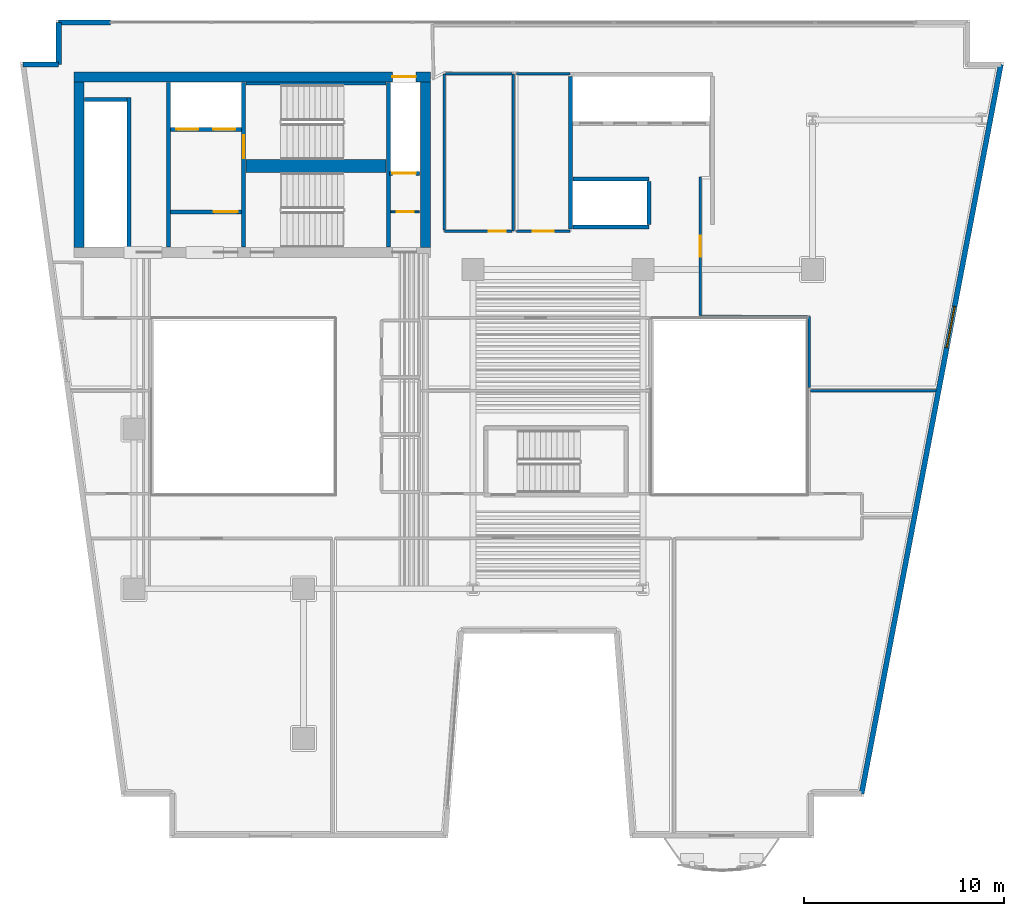
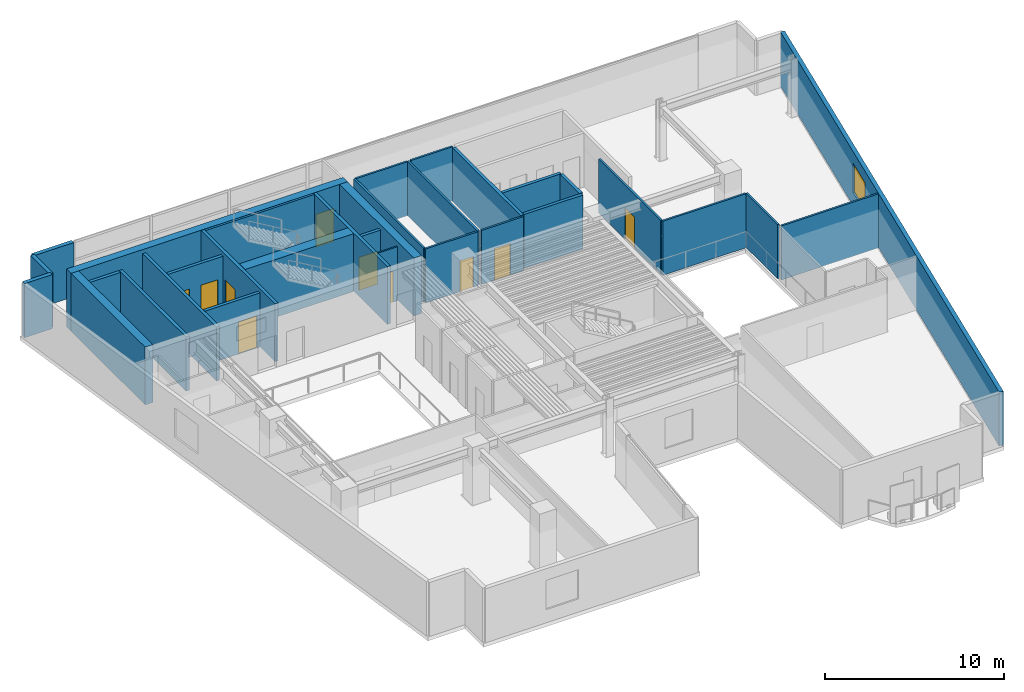
# One storey, part 7 of 13: 32 walls, 10 doors, 1 window, 11 openings.
"""IFC4 building model written with IfcOpenShell, lengths in metres."""

from ifc_helpers import new_model, si_unit, direction, frame, frame_2d, origin, place, context, subcontext, project, spatial, rectangle, extrude, material, layer, layer_set, type_object, element, fill, save


model = new_model("IFC4")

# Units and contexts
model_context = context("Model", 3, precision=1e-05, world=origin(), true_north=direction((0.0, 1.0)))
body_context = subcontext(model_context, "Body", "Model", "MODEL_VIEW")
ifc_project = project(units=[si_unit("LENGTHUNIT", "METRE"), si_unit("AREAUNIT", "SQUARE_METRE"), si_unit("VOLUMEUNIT", "CUBIC_METRE"), si_unit("PLANEANGLEUNIT", "RADIAN"), si_unit("MASSUNIT", "GRAM", prefix="KILO")], contexts=[model_context])

# Site, building, storey
site_placement = place(None, origin())
site = spatial("IfcSite", under=ifc_project, at=site_placement, CompositionType="ELEMENT")
building_placement = place(site_placement, origin())
building = spatial("IfcBuilding", under=site, at=building_placement, Name="Caeloran Harvest Quay", CompositionType="ELEMENT")
storey_placement = place(building_placement, frame((0.0, 0.0, 139.050048828125)))
storey = spatial("IfcBuildingStorey", under=building, at=storey_placement, Name="L32", CompositionType="ELEMENT", Elevation=139.050048828125)

# Walls
ifc_material_1 = material(Name="Precast concrete C50/60", Category="concrete")
ifc_layer_1 = layer(ifc_material_1, 0.260009765625, Name="Precast concrete C50/60")
ifc_layer_set_1 = layer_set([ifc_layer_1], Name="Precast concrete C50/60")
wall_type_1 = type_object("IfcWallType", Name="ENV-WALL-EW-260", PredefinedType="STANDARD", material=ifc_layer_set_1)
wall_1_placement = place(storey_placement, frame((2.939697265625, 41.27001953125, 0.0), z_axis=(0.0, 0.0, 1.0), x_axis=(1.0, 0.0, 0.0)))
element("IfcWall", 1, at=wall_1_placement, inside=storey, type_object=wall_type_1, Name="L32 Exterior Precast Concrete Facade Wall 4", PredefinedType="STANDARD", context=body_context, shape_type="SweptSolid", body=[
    extrude(rectangle(XDim=1.790283203125, YDim=0.260009765625, at=frame_2d((0.89501953125, 0.0))), origin(), (0.0, 0.0, 1.0), 3.68994140625),
])
wall_2_placement = place(storey_placement, frame((4.72998046875, 41.27001953125, 0.0), z_axis=(0.0, 0.0, 1.0), x_axis=(0.0, 1.0, 0.0)))
element("IfcWall", 2, at=wall_2_placement, inside=storey, type_object=wall_type_1, Name="L32 Exterior Precast Concrete Facade Wall 5", PredefinedType="STANDARD", context=body_context, shape_type="SweptSolid", body=[
    extrude(rectangle(XDim=2.10009765625, YDim=0.260009765625, at=frame_2d((1.050048828125, 0.0))), origin(), (0.0, 0.0, 1.0), 3.68994140625),
])
wall_3_placement = place(storey_placement, frame((4.72998046875, 43.3701171875, 0.0), z_axis=(0.0, 0.0, 1.0), x_axis=(1.0, 0.0, 0.0)))
element("IfcWall", 3, at=wall_3_placement, inside=storey, type_object=wall_type_1, Name="L32 Exterior Facade Corner Pier Wall 6A", PredefinedType="STANDARD", context=body_context, shape_type="SweptSolid", body=[
    extrude(rectangle(XDim=2.60009765625, YDim=0.260009765625, at=frame_2d((1.300048828125, 0.0))), origin(), (0.0, 0.0, 1.0), 3.68994140625),
])

# Wall, opening, window
wall_4_placement = place(storey_placement, frame((51.94189453125, 41.27001953125, 0.0), z_axis=(0.0, 0.0, 1.0), x_axis=(-0.187592192405, -0.982247000173, 0.0)))
wall_4 = element("IfcWall", 4, at=wall_4_placement, inside=storey, type_object=wall_type_1, Name="L32 Exterior Precast Concrete Facade Wall 9", PredefinedType="STANDARD", context=body_context, shape_type="SweptSolid", body=[
    extrude(rectangle(XDim=37.200439453125, YDim=0.260009765625, at=frame_2d((18.60009765625, 0.0))), origin(), (0.0, 0.0, 1.0), 3.68994140625),
])
opening_1_placement = place(wall_4_placement, frame((12.342041015625, 0.0, 0.89990234375)))
opening_1 = element("IfcOpeningElement", 5, at=opening_1_placement, cuts=wall_4, Name="Opening W-06", PredefinedType="OPENING", context=body_context, shape_type="SweptSolid", body=[
    extrude(rectangle(XDim=2.10009765625, YDim=2.0, at=frame_2d((1.050048828125, 1.0))), frame((0.0, 0.14013671875, 0.0), z_axis=(0.0, -1.0, 0.0), x_axis=(1.0, 0.0, 0.0)), (0.0, 0.0, 1.0), 0.280029296875),
])
ifc_material_2 = material(Name="Aluminium-Framed Low-E Laminated Glass", Category="aluminium")
window_type = type_object("IfcWindowType", Name="WIN-W-06", PartitioningType="DOUBLE_PANEL_VERTICAL", PredefinedType="WINDOW", material=ifc_material_2)
window_placement = place(opening_1_placement, origin())
window = element("IfcWindow", 6, at=window_placement, inside=storey, type_object=window_type, Name="L32 Facade Punched Window W-06", OverallHeight=2.0, OverallWidth=2.10009765625, PartitioningType="DOUBLE_PANEL_VERTICAL", PredefinedType="WINDOW", context=body_context, shape_type="SweptSolid", body=[
    extrude(rectangle(XDim=2.10009765625, YDim=2.0, at=frame_2d((1.050048828125, 1.0))), frame((0.0, 0.030029296875, 0.0), z_axis=(0.0, -1.0, 0.0), x_axis=(1.0, 0.0, 0.0)), (0.0, 0.0, 1.0), 0.06005859375),
])
fill(opening_1, window)

# Wall, opening, door
ifc_material_3 = material(Name="Fire-Resisting Gypsum Core Riser Partition", Category="gypsum")
ifc_layer_2 = layer(ifc_material_3, 0.10009765625, Name="Fire-Resisting Gypsum Core Riser Partition")
ifc_layer_set_2 = layer_set([ifc_layer_2], Name="Fire-Resisting Gypsum Core Riser Partition")
wall_type_2 = type_object("IfcWallType", Name="INT-WALL-PW-100", PredefinedType="PARTITIONING", material=ifc_layer_set_2)
wall_5_placement = place(storey_placement, frame((21.3798828125, 33.889892578125, 0.0), z_axis=(0.0, 0.0, 1.0), x_axis=(1.0, 0.0, 0.0)))
wall_5 = element("IfcWall", 7, at=wall_5_placement, inside=storey, type_object=wall_type_2, Name="L32 Cleaner Store Partition Wall", PredefinedType="PARTITIONING", context=body_context, shape_type="SweptSolid", body=[
    extrude(rectangle(XDim=1.420166015625, YDim=0.10009765625, at=frame_2d((0.7099609375, 0.0))), origin(), (0.0, 0.0, 1.0), 3.68994140625),
])
opening_2_placement = place(wall_5_placement, frame((0.280029296875, 0.0, 0.0)))
opening_2 = element("IfcOpeningElement", 8, at=opening_2_placement, cuts=wall_5, Name="Opening SV-01", PredefinedType="OPENING", context=body_context, shape_type="SweptSolid", body=[
    extrude(rectangle(XDim=0.85009765625, YDim=2.10009765625, at=frame_2d((0.425048828125, 1.050048828125))), frame((0.0, 0.06005859375, 0.0), z_axis=(0.0, -1.0, 0.0), x_axis=(1.0, 0.0, 0.0)), (0.0, 0.0, 1.0), 0.1201171875),
])
ifc_material_4 = material(Name="Galvanized Painted Steel", Category="steel")
door_type_1 = type_object("IfcDoorType", Name="INTDOOR-SV-01", OperationType="NOTDEFINED", PredefinedType="DOOR", material=ifc_material_4)
door_1_placement = place(opening_2_placement, origin())
door_1 = element("IfcDoor", 9, at=door_1_placement, inside=storey, type_object=door_type_1, Name="L32 Cleaner Supply Store Access Door", OperationType="SINGLE_SWING_RIGHT", OverallHeight=2.10009765625, OverallWidth=0.85009765625, PredefinedType="DOOR", context=body_context, shape_type="SweptSolid", body=[
    extrude(rectangle(XDim=0.85009765625, YDim=2.10009765625, at=frame_2d((0.425048828125, 1.050048828125))), frame((0.0, 0.02490234375, 0.0), z_axis=(0.0, -1.0, 0.0), x_axis=(1.0, 0.0, 0.0)), (0.0, 0.0, 1.0), 0.050048828125),
])
fill(opening_2, door_1)

# Wall
ifc_material_5 = material(Name="Twin-Stud Mineral-Wool Acoustic Gypsum Partition", Category="gypsum")
ifc_layer_3 = layer(ifc_material_5, 0.125, Name="Twin-Stud Mineral-Wool Acoustic Gypsum Partition")
ifc_layer_set_3 = layer_set([ifc_layer_3], Name="Twin-Stud Mineral-Wool Acoustic Gypsum Partition")
wall_type_3 = type_object("IfcWallType", Name="INT-WALL-PW-125", PredefinedType="PARTITIONING", material=ifc_layer_set_3)
wall_6_placement = place(storey_placement, frame((27.5, 40.800048828125, 0.0), z_axis=(0.0, 0.0, 1.0), x_axis=(0.0, -1.0, 0.0)))
element("IfcWall", 10, at=wall_6_placement, inside=storey, type_object=wall_type_3, Name="L32 Bioinformatics Briefing Lounge Partition Wall", PredefinedType="PARTITIONING", context=body_context, shape_type="SweptSolid", body=[
    extrude(rectangle(XDim=7.880126953125, YDim=0.125, at=frame_2d((3.93994140625, 0.0))), origin(), (0.0, 0.0, 1.0), 3.68994140625),
])

# Wall, opening, door
wall_7_placement = place(storey_placement, frame((27.4326171875, 32.919921875, 0.0), z_axis=(0.0, 0.0, 1.0), x_axis=(-1.0, 0.0, 0.0)))
wall_7 = element("IfcWall", 11, at=wall_7_placement, inside=storey, type_object=wall_type_3, Name="L32 Bioinformatics Briefing Lounge Partition Wall", PredefinedType="PARTITIONING", context=body_context, shape_type="SweptSolid", body=[
    extrude(rectangle(XDim=3.382568359375, YDim=0.125, at=frame_2d((1.69140625, 0.0))), origin(), (0.0, 0.0, 1.0), 3.68994140625),
])
opening_3_placement = place(wall_7_placement, frame((0.303466796875, 0.0, 0.0)))
opening_3 = element("IfcOpeningElement", 12, at=opening_3_placement, cuts=wall_7, Name="Opening SV-01", PredefinedType="OPENING", context=body_context, shape_type="SweptSolid", body=[
    extrude(rectangle(XDim=0.85009765625, YDim=2.10009765625, at=frame_2d((0.425048828125, 1.050048828125))), frame((0.0, 0.072509765625, 0.0), z_axis=(0.0, -1.0, 0.0), x_axis=(1.0, 0.0, 0.0)), (0.0, 0.0, 1.0), 0.14501953125),
])
door_2_placement = place(opening_3_placement, origin())
door_2 = element("IfcDoor", 13, at=door_2_placement, inside=storey, type_object=door_type_1, Name="L32 Bioinformatics Briefing Lounge Access Door", OperationType="SINGLE_SWING_LEFT", OverallHeight=2.10009765625, OverallWidth=0.85009765625, PredefinedType="DOOR", context=body_context, shape_type="SweptSolid", body=[
    extrude(rectangle(XDim=0.85009765625, YDim=2.10009765625, at=frame_2d((0.425048828125, 1.050048828125))), frame((0.0, 0.02490234375, 0.0), z_axis=(0.0, -1.0, 0.0), x_axis=(1.0, 0.0, 0.0)), (0.0, 0.0, 1.0), 0.050048828125),
])
fill(opening_3, door_2)

# Walls
wall_8_placement = place(storey_placement, frame((24.050048828125, 32.987548828125, 0.0), z_axis=(0.0, 0.0, 1.0), x_axis=(0.0, 1.0, 0.0)))
element("IfcWall", 14, at=wall_8_placement, inside=storey, type_object=wall_type_3, Name="L32 Bioinformatics Briefing Lounge Partition Wall", PredefinedType="PARTITIONING", context=body_context, shape_type="SweptSolid", body=[
    extrude(rectangle(XDim=7.8125, YDim=0.125, at=frame_2d((3.90625, 0.0))), origin(), (0.0, 0.0, 1.0), 3.68994140625),
])
wall_9_placement = place(storey_placement, frame((24.117431640625, 40.800048828125, 0.0), z_axis=(0.0, 0.0, 1.0), x_axis=(1.0, 0.0, 0.0)))
element("IfcWall", 15, at=wall_9_placement, inside=storey, type_object=wall_type_3, Name="L32 Bioinformatics Briefing Lounge Partition Wall", PredefinedType="PARTITIONING", context=body_context, shape_type="SweptSolid", body=[
    extrude(rectangle(XDim=3.315185546875, YDim=0.125, at=frame_2d((1.65771484375, 0.0))), origin(), (0.0, 0.0, 1.0), 3.68994140625),
])

# Wall, opening, door
wall_10_placement = place(storey_placement, frame((30.35009765625, 32.919921875, 0.0), z_axis=(0.0, 0.0, 1.0), x_axis=(-1.0, 0.0, 0.0)))
wall_10 = element("IfcWall", 16, at=wall_10_placement, inside=storey, type_object=wall_type_3, Name="L32 Seed Imaging Laboratory Partition Wall", PredefinedType="PARTITIONING", context=body_context, shape_type="SweptSolid", body=[
    extrude(rectangle(XDim=2.690185546875, YDim=0.125, at=frame_2d((1.34521484375, 0.0))), origin(), (0.0, 0.0, 1.0), 3.68994140625),
])
opening_4_placement = place(wall_10_placement, frame((0.820068359375, 0.0, 0.0)))
opening_4 = element("IfcOpeningElement", 17, at=opening_4_placement, cuts=wall_10, Name="Opening ID-03", PredefinedType="OPENING", context=body_context, shape_type="SweptSolid", body=[
    extrude(rectangle(XDim=1.050048828125, YDim=2.14990234375, at=frame_2d((0.52490234375, 1.074951171875))), frame((0.0, 0.072509765625, 0.0), z_axis=(0.0, -1.0, 0.0), x_axis=(1.0, 0.0, 0.0)), (0.0, 0.0, 1.0), 0.14501953125),
])
ifc_material_6 = material(Name="FSC Solid-Core Oak Timber Leaf", Category="wood")
door_type_2 = type_object("IfcDoorType", Name="INTDOOR-ID-03", OperationType="NOTDEFINED", PredefinedType="DOOR", material=ifc_material_6)
door_3_placement = place(opening_4_placement, origin())
door_3 = element("IfcDoor", 18, at=door_3_placement, inside=storey, type_object=door_type_2, Name="L32 Seed Imaging Laboratory Access Door", OperationType="SINGLE_SWING_RIGHT", OverallHeight=2.14990234375, OverallWidth=1.050048828125, PredefinedType="DOOR", context=body_context, shape_type="SweptSolid", body=[
    extrude(rectangle(XDim=1.050048828125, YDim=2.14990234375, at=frame_2d((0.52490234375, 1.074951171875))), frame((0.0, 0.02490234375, 0.0), z_axis=(0.0, -1.0, 0.0), x_axis=(1.0, 0.0, 0.0)), (0.0, 0.0, 1.0), 0.050048828125),
])
fill(opening_4, door_3)

# Walls
wall_11_placement = place(storey_placement, frame((27.659912109375, 40.800048828125, 0.0), z_axis=(0.0, 0.0, 1.0), x_axis=(1.0, 0.0, 0.0)))
element("IfcWall", 19, at=wall_11_placement, inside=storey, type_object=wall_type_3, Name="L32 Seed Imaging Laboratory Partition Wall", PredefinedType="PARTITIONING", context=body_context, shape_type="SweptSolid", body=[
    extrude(rectangle(XDim=2.690185546875, YDim=0.125, at=frame_2d((1.34521484375, 0.0))), origin(), (0.0, 0.0, 1.0), 3.68994140625),
])
wall_12_placement = place(storey_placement, frame((42.3974609375, 24.919921875, 0.0), z_axis=(0.0, 0.0, 1.0), x_axis=(1.0, 0.0, 0.0)))
element("IfcWall", 20, at=wall_12_placement, inside=storey, type_object=wall_type_3, Name="Bioreactor Pilot Hall Partition Wall", PredefinedType="PARTITIONING", context=body_context, shape_type="SweptSolid", body=[
    extrude(rectangle(XDim=6.284423828125, YDim=0.125, at=frame_2d((3.14208984375, 0.0))), origin(), (0.0, 0.0, 1.0), 3.68994140625),
])
wall_13_placement = place(storey_placement, frame((42.330078125, 25.080078125, 0.0), z_axis=(0.0, 0.0, 1.0), x_axis=(0.0, 1.0, 0.0)))
element("IfcWall", 21, at=wall_13_placement, inside=storey, type_object=wall_type_3, Name="Food Texture Sensory Laboratory 9 Partition Wall", PredefinedType="PARTITIONING", context=body_context, shape_type="SweptSolid", body=[
    extrude(rectangle(XDim=3.5498046875, YDim=0.125, at=frame_2d((1.77490234375, 0.0))), origin(), (0.0, 0.0, 1.0), 3.68994140625),
])
wall_14_placement = place(storey_placement, frame((42.262451171875, 28.6298828125, 0.0), z_axis=(0.0, 0.0, 1.0), x_axis=(-1.0, 0.0, 0.0)))
element("IfcWall", 22, at=wall_14_placement, inside=storey, type_object=wall_type_3, Name="Food Texture Sensory Laboratory 9 Partition Wall", PredefinedType="PARTITIONING", context=body_context, shape_type="SweptSolid", body=[
    extrude(rectangle(XDim=5.382568359375, YDim=0.125, at=frame_2d((2.69140625, 0.0))), origin(), (0.0, 0.0, 1.0), 3.68994140625),
])

# Wall, opening, door
wall_15_placement = place(storey_placement, frame((36.8798828125, 28.697509765625, 0.0), z_axis=(0.0, 0.0, 1.0), x_axis=(0.0, 1.0, 0.0)))
wall_15 = element("IfcWall", 23, at=wall_15_placement, inside=storey, type_object=wall_type_3, Name="Food Texture Sensory Laboratory 9 Partition Wall", PredefinedType="PARTITIONING", context=body_context, shape_type="SweptSolid", body=[
    extrude(rectangle(XDim=6.922607421875, YDim=0.125, at=frame_2d((3.46142578125, 0.0))), origin(), (0.0, 0.0, 1.0), 3.68994140625),
])
opening_5_placement = place(wall_15_placement, frame((2.936279296875, 0.0, 0.0)))
opening_5 = element("IfcOpeningElement", 24, at=opening_5_placement, cuts=wall_15, Name="Opening ID-03", PredefinedType="OPENING", context=body_context, shape_type="SweptSolid", body=[
    extrude(rectangle(XDim=1.050048828125, YDim=2.14990234375, at=frame_2d((0.52490234375, 1.074951171875))), frame((0.0, 0.072509765625, 0.0), z_axis=(0.0, -1.0, 0.0), x_axis=(1.0, 0.0, 0.0)), (0.0, 0.0, 1.0), 0.14501953125),
])
door_4_placement = place(opening_5_placement, origin())
door_4 = element("IfcDoor", 25, at=door_4_placement, inside=storey, type_object=door_type_2, Name="Food Texture Sensory Laboratory 9 Access Door", OperationType="SINGLE_SWING_RIGHT", OverallHeight=2.14990234375, OverallWidth=1.050048828125, PredefinedType="DOOR", context=body_context, shape_type="SweptSolid", body=[
    extrude(rectangle(XDim=1.050048828125, YDim=2.14990234375, at=frame_2d((0.52490234375, 1.074951171875))), frame((0.0, 0.02490234375, 0.0), z_axis=(0.0, -1.0, 0.0), x_axis=(1.0, 0.0, 0.0)), (0.0, 0.0, 1.0), 0.050048828125),
])
fill(opening_5, door_4)

# Walls
ifc_material_7 = material(Name="Concrete C50/60", Category="concrete")
ifc_layer_4 = layer(ifc_material_7, 0.199951171875, Name="Concrete C50/60")
ifc_layer_set_4 = layer_set([ifc_layer_4], Name="Concrete C50/60")
wall_type_4 = type_object("IfcWallType", Name="INT-WALL-SW-200", PredefinedType="PARTITIONING", material=ifc_layer_set_4)
wall_16_placement = place(storey_placement, frame((8.260009765625, 32.1201171875, 0.0), z_axis=(0.0, 0.0, 1.0), x_axis=(0.0, 1.0, 0.0)))
element("IfcWall", 26, at=wall_16_placement, inside=storey, type_object=wall_type_4, Name="L32 Bank 3 Lift Shaft Wall", PredefinedType="PARTITIONING", context=body_context, shape_type="SweptSolid", body=[
    extrude(rectangle(XDim=7.5, YDim=0.199951171875, at=frame_2d((3.75, 0.0))), origin(), (0.0, 0.0, 1.0), 3.68994140625),
])
wall_17_placement = place(storey_placement, frame((6.02001953125, 39.52001953125, 0.0), z_axis=(0.0, 0.0, 1.0), x_axis=(1.0, 0.0, 0.0)))
element("IfcWall", 27, at=wall_17_placement, inside=storey, type_object=wall_type_4, Name="L32 Bank 3 Lift Shaft North End Wall", PredefinedType="PARTITIONING", context=body_context, shape_type="SweptSolid", body=[
    extrude(rectangle(XDim=2.119873046875, YDim=0.199951171875, at=frame_2d((1.06005859375, 0.0))), origin(), (0.0, 0.0, 1.0), 3.68994140625),
])
wall_18_placement = place(storey_placement, frame((10.219970703125, 32.1201171875, 0.0), z_axis=(0.0, 0.0, 1.0), x_axis=(0.0, 1.0, 0.0)))
element("IfcWall", 28, at=wall_18_placement, inside=storey, type_object=wall_type_4, Name="L32 Core Lobby Compartment Wall", PredefinedType="PARTITIONING", context=body_context, shape_type="SweptSolid", body=[
    extrude(rectangle(XDim=8.259765625, YDim=0.199951171875, at=frame_2d((4.1298828125, 0.0))), origin(), (0.0, 0.0, 1.0), 3.68994140625),
])

# Wall, openings, doors
wall_19_placement = place(storey_placement, frame((10.340087890625, 38.02001953125, 0.0), z_axis=(0.0, 0.0, 1.0), x_axis=(1.0, 0.0, 0.0)))
wall_19 = element("IfcWall", 29, at=wall_19_placement, inside=storey, type_object=wall_type_4, Name="L32 Firefighting Lift Shaft Wall", PredefinedType="PARTITIONING", context=body_context, shape_type="SweptSolid", body=[
    extrude(rectangle(XDim=3.539794921875, YDim=0.199951171875, at=frame_2d((1.77001953125, 0.0))), origin(), (0.0, 0.0, 1.0), 3.68994140625),
])
opening_6_placement = place(wall_19_placement, frame((0.284912109375, 0.0, 0.0)))
opening_6 = element("IfcOpeningElement", 30, at=opening_6_placement, cuts=wall_19, Name="Opening LD-01", PredefinedType="OPENING", context=body_context, shape_type="SweptSolid", body=[
    extrude(rectangle(XDim=1.10009765625, YDim=2.199951171875, at=frame_2d((0.550048828125, 1.10009765625))), frame((0.0, 0.10986328125, 0.0), z_axis=(0.0, -1.0, 0.0), x_axis=(1.0, 0.0, 0.0)), (0.0, 0.0, 1.0), 0.219970703125),
])
opening_7_placement = place(wall_19_placement, frame((2.135009765625, 0.0, 0.0)))
opening_7 = element("IfcOpeningElement", 31, at=opening_7_placement, cuts=wall_19, Name="Opening LD-01", PredefinedType="OPENING", context=body_context, shape_type="SweptSolid", body=[
    extrude(rectangle(XDim=1.10009765625, YDim=2.199951171875, at=frame_2d((0.550048828125, 1.10009765625))), frame((0.0, 0.10986328125, 0.0), z_axis=(0.0, -1.0, 0.0), x_axis=(1.0, 0.0, 0.0)), (0.0, 0.0, 1.0), 0.219970703125),
])
ifc_material_8 = material(Name="Stainless Steel Grade 316", Category="steel")
door_type_3 = type_object("IfcDoorType", Name="INTDOOR-LD-01", OperationType="NOTDEFINED", PredefinedType="DOOR", material=ifc_material_8)
door_5_placement = place(opening_6_placement, origin())
door_5 = element("IfcDoor", 32, at=door_5_placement, inside=storey, type_object=door_type_3, Name="Lift FF-1 Sliding Landing Door (L32)", OperationType="DOUBLE_DOOR_SLIDING", OverallHeight=2.199951171875, OverallWidth=1.10009765625, PredefinedType="DOOR", context=body_context, shape_type="SweptSolid", body=[
    extrude(rectangle(XDim=1.10009765625, YDim=2.199951171875, at=frame_2d((0.550048828125, 1.10009765625))), frame((0.0, 0.02490234375, 0.0), z_axis=(0.0, -1.0, 0.0), x_axis=(1.0, 0.0, 0.0)), (0.0, 0.0, 1.0), 0.050048828125),
])
fill(opening_6, door_5)
door_6_placement = place(opening_7_placement, origin())
door_6 = element("IfcDoor", 33, at=door_6_placement, inside=storey, type_object=door_type_3, Name="Lift FF-2 Sliding Landing Door (L32)", OperationType="DOUBLE_DOOR_SLIDING", OverallHeight=2.199951171875, OverallWidth=1.10009765625, PredefinedType="DOOR", context=body_context, shape_type="SweptSolid", body=[
    extrude(rectangle(XDim=1.10009765625, YDim=2.199951171875, at=frame_2d((0.550048828125, 1.10009765625))), frame((0.0, 0.02490234375, 0.0), z_axis=(0.0, -1.0, 0.0), x_axis=(1.0, 0.0, 0.0)), (0.0, 0.0, 1.0), 0.050048828125),
])
fill(opening_7, door_6)

# Wall, opening, door
wall_20_placement = place(storey_placement, frame((10.340087890625, 33.8798828125, 0.0), z_axis=(0.0, 0.0, 1.0), x_axis=(1.0, 0.0, 0.0)))
wall_20 = element("IfcWall", 34, at=wall_20_placement, inside=storey, type_object=wall_type_4, Name="L32 Firefighting Lift Lobby Enclosure Wall", PredefinedType="PARTITIONING", context=body_context, shape_type="SweptSolid", body=[
    extrude(rectangle(XDim=3.559814453125, YDim=0.199951171875, at=frame_2d((1.77978515625, 0.0))), origin(), (0.0, 0.0, 1.0), 3.68994140625),
])
opening_8_placement = place(wall_20_placement, frame((2.14990234375, 0.0, 0.0)))
opening_8 = element("IfcOpeningElement", 35, at=opening_8_placement, cuts=wall_20, Name="Opening FD-01", PredefinedType="OPENING", context=body_context, shape_type="SweptSolid", body=[
    extrude(rectangle(XDim=1.199951171875, YDim=2.199951171875, at=frame_2d((0.60009765625, 1.10009765625))), frame((0.0, 0.10986328125, 0.0), z_axis=(0.0, -1.0, 0.0), x_axis=(1.0, 0.0, 0.0)), (0.0, 0.0, 1.0), 0.219970703125),
])
ifc_material_9 = material(Name="Steel", Category="steel")
door_type_4 = type_object("IfcDoorType", Name="INTDOOR-FD-01", OperationType="NOTDEFINED", PredefinedType="DOOR", material=ifc_material_9)
door_7_placement = place(opening_8_placement, origin())
door_7 = element("IfcDoor", 36, at=door_7_placement, inside=storey, type_object=door_type_4, Name="L32 Firefighting Lift Lobby Smoke-Seal Fire Door", OperationType="SINGLE_SWING_RIGHT", OverallHeight=2.199951171875, OverallWidth=1.199951171875, PredefinedType="DOOR", context=body_context, shape_type="SweptSolid", body=[
    extrude(rectangle(XDim=1.199951171875, YDim=2.199951171875, at=frame_2d((0.60009765625, 1.10009765625))), frame((0.0, 0.02490234375, 0.0), z_axis=(0.0, -1.0, 0.0), x_axis=(1.0, 0.0, 0.0)), (0.0, 0.0, 1.0), 0.050048828125),
])
fill(opening_8, door_7)

wall_21_placement = place(storey_placement, frame((21.300048828125, 35.820068359375, 0.0), z_axis=(0.0, 0.0, 1.0), x_axis=(1.0, 0.0, 0.0)))
wall_21 = element("IfcWall", 37, at=wall_21_placement, inside=storey, type_object=wall_type_4, Name="L32 Service Lift SV-2 Shaft Wall", PredefinedType="PARTITIONING", context=body_context, shape_type="SweptSolid", body=[
    extrude(rectangle(XDim=1.5, YDim=0.199951171875, at=frame_2d((0.75, 0.0))), origin(), (0.0, 0.0, 1.0), 3.68994140625),
])
opening_9_placement = place(wall_21_placement, frame((0.14501953125, 0.0, 0.0)))
opening_9 = element("IfcOpeningElement", 38, at=opening_9_placement, cuts=wall_21, Name="Opening LD-02", PredefinedType="OPENING", context=body_context, shape_type="SweptSolid", body=[
    extrude(rectangle(XDim=1.179931640625, YDim=2.25, at=frame_2d((0.58984375, 1.125))), frame((0.0, 0.10986328125, 0.0), z_axis=(0.0, -1.0, 0.0), x_axis=(1.0, 0.0, 0.0)), (0.0, 0.0, 1.0), 0.219970703125),
])
door_type_5 = type_object("IfcDoorType", Name="INTDOOR-LD-02", OperationType="NOTDEFINED", PredefinedType="DOOR", material=ifc_material_8)
door_8_placement = place(opening_9_placement, origin())
door_8 = element("IfcDoor", 39, at=door_8_placement, inside=storey, type_object=door_type_5, Name="Lift SV-2 Sliding Landing Door (L32)", OperationType="DOUBLE_DOOR_SLIDING", OverallHeight=2.25, OverallWidth=1.179931640625, PredefinedType="DOOR", context=body_context, shape_type="SweptSolid", body=[
    extrude(rectangle(XDim=1.179931640625, YDim=2.25, at=frame_2d((0.58984375, 1.125))), frame((0.0, 0.02490234375, 0.0), z_axis=(0.0, -1.0, 0.0), x_axis=(1.0, 0.0, 0.0)), (0.0, 0.0, 1.0), 0.050048828125),
])
fill(opening_9, door_8)

# Walls
wall_22_placement = place(storey_placement, frame((30.3798828125, 33.02001953125, 0.0), z_axis=(0.0, 0.0, 1.0), x_axis=(0.0, 1.0, 0.0)))
element("IfcWall", 40, at=wall_22_placement, inside=storey, type_object=wall_type_4, Name="L32 Bank 2 and Shuttle Lift Shaft West Wall", PredefinedType="PARTITIONING", context=body_context, shape_type="SweptSolid", body=[
    extrude(rectangle(XDim=7.639892578125, YDim=0.199951171875, at=frame_2d((3.81982421875, 0.0))), origin(), (0.0, 0.0, 1.0), 3.68994140625),
])
for number, where, z_axis, x_axis, name in (
    (41, (30.5, 35.530029296875, 0.0), (0.0, 0.0, 1.0), (1.0, 0.0, 0.0), "L32 Shuttle Lift Landing Front Wall"),
    (42, (30.5, 33.1201171875, 0.0), (0.0, 0.0, 1.0), (1.0, 0.0, 0.0), "L32 Shuttle Lift Shaft South Wall"),
):
    element("IfcWall", number, at=place(storey_placement, frame(where, z_axis=z_axis, x_axis=x_axis)), inside=storey, type_object=wall_type_4, Name=name, PredefinedType="PARTITIONING", context=body_context, shape_type="SweptSolid", body=[
        extrude(rectangle(XDim=3.800048828125, YDim=0.199951171875, at=frame_2d((1.89990234375, 0.0))), origin(), (0.0, 0.0, 1.0), 3.68994140625),
    ])
wall_23_placement = place(storey_placement, frame((34.300048828125, 33.239990234375, 0.0), z_axis=(0.0, 0.0, 1.0), x_axis=(0.0, 1.0, 0.0)))
element("IfcWall", 43, at=wall_23_placement, inside=storey, type_object=wall_type_4, Name="L32 Shuttle Lift Shaft East Wall", PredefinedType="PARTITIONING", context=body_context, shape_type="SweptSolid", body=[
    extrude(rectangle(XDim=2.169921875, YDim=0.199951171875, at=frame_2d((1.0849609375, 0.0))), origin(), (0.0, 0.0, 1.0), 3.68994140625),
])

# Wall, opening, door
ifc_material_10 = material(Name="Concrete C70/85", Category="concrete")
ifc_layer_5 = layer(ifc_material_10, 0.5, Name="Concrete C70/85")
ifc_layer_set_5 = layer_set([ifc_layer_5], Name="Concrete C70/85")
wall_type_5 = type_object("IfcWallType", Name="STR-WALL-CW-500", PredefinedType="SHEAR", material=ifc_layer_set_5)
wall_24_placement = place(storey_placement, frame((5.5, 40.64990234375, 0.0), z_axis=(0.0, 0.0, 1.0), x_axis=(1.0, 0.0, 0.0)))
wall_24 = element("IfcWall", 44, at=wall_24_placement, inside=storey, type_object=wall_type_5, Name="L32 Rear Core Shear Wall N", PredefinedType="SHEAR", context=body_context, shape_type="SweptSolid", body=[
    extrude(rectangle(XDim=17.85009765625, YDim=0.5, at=frame_2d((8.925048828125, 0.0))), origin(), (0.0, 0.0, 1.0), 3.949951171875),
])
opening_10_placement = place(wall_24_placement, frame((15.945068359375, 0.0, 0.0)))
opening_10 = element("IfcOpeningElement", 45, at=opening_10_placement, cuts=wall_24, Name="Opening LD-02", PredefinedType="OPENING", context=body_context, shape_type="SweptSolid", body=[
    extrude(rectangle(XDim=1.179931640625, YDim=2.25, at=frame_2d((0.58984375, 1.125))), frame((0.0, 0.260009765625, 0.0), z_axis=(0.0, -1.0, 0.0), x_axis=(1.0, 0.0, 0.0)), (0.0, 0.0, 1.0), 0.52001953125),
])
door_9_placement = place(opening_10_placement, origin())
door_9 = element("IfcDoor", 46, at=door_9_placement, inside=storey, type_object=door_type_5, Name="Lift SV-1 Sliding Landing Door (L32)", OperationType="DOUBLE_DOOR_SLIDING", OverallHeight=2.25, OverallWidth=1.179931640625, PredefinedType="DOOR", context=body_context, shape_type="SweptSolid", body=[
    extrude(rectangle(XDim=1.179931640625, YDim=2.25, at=frame_2d((0.58984375, 1.125))), frame((0.0, 0.02490234375, 0.0), z_axis=(0.0, -1.0, 0.0), x_axis=(1.0, 0.0, 0.0)), (0.0, 0.0, 1.0), 0.050048828125),
])
fill(opening_10, door_9)

# Walls
for number, where, z_axis, x_axis, name in (
    (47, (5.75, 32.10009765625, 0.0), (0.0, 0.0, 1.0), (0.0, 1.0, 0.0), "L32 Rear Core Shear Wall W"),
    (48, (23.10009765625, 32.10009765625, 0.0), (0.0, 0.0, 1.0), (0.0, 1.0, 0.0), "L32 Rear Core Shear Wall E"),
):
    element("IfcWall", number, at=place(storey_placement, frame(where, z_axis=z_axis, x_axis=x_axis)), inside=storey, type_object=wall_type_5, Name=name, PredefinedType="SHEAR", context=body_context, shape_type="SweptSolid", body=[
        extrude(rectangle(XDim=8.2998046875, YDim=0.5, at=frame_2d((4.14990234375, 0.0))), origin(), (0.0, 0.0, 1.0), 3.949951171875),
    ])
ifc_material_11 = material(Name="Concrete C60/75", Category="concrete")
ifc_layer_6 = layer(ifc_material_11, 0.64990234375, Name="Concrete C60/75")
ifc_layer_set_6 = layer_set([ifc_layer_6], Name="Concrete C60/75")
wall_type_6 = type_object("IfcWallType", Name="STR-WALL-CW-650", PredefinedType="SHEAR", material=ifc_layer_set_6)
wall_25_placement = place(storey_placement, frame((14.1201171875, 36.175048828125, 0.0), z_axis=(0.0, 0.0, 1.0), x_axis=(1.0, 0.0, 0.0)))
element("IfcWall", 49, at=wall_25_placement, inside=storey, type_object=wall_type_6, Name="L32 Core Stairs Dividing Shear Wall", PredefinedType="SHEAR", context=body_context, shape_type="SweptSolid", body=[
    extrude(rectangle(XDim=7.009765625, YDim=0.64990234375, at=frame_2d((3.5048828125, 0.0))), origin(), (0.0, 0.0, 1.0), 3.949951171875),
])
ifc_layer_7 = layer(ifc_material_11, 0.139892578125, Name="Concrete C60/75")
ifc_layer_set_7 = layer_set([ifc_layer_7], Name="Concrete C60/75")
wall_type_7 = type_object("IfcWallType", Name="STR-WALL-SW-140", PredefinedType="SHEAR", material=ifc_layer_set_7)
wall_26_placement = place(storey_placement, frame((14.1201171875, 40.320068359375, 0.0), z_axis=(0.0, 0.0, 1.0), x_axis=(1.0, 0.0, 0.0)))
element("IfcWall", 50, at=wall_26_placement, inside=storey, type_object=wall_type_7, Name="L32 Core Stair ST-C1 North Bearing Shear Wall", PredefinedType="SHEAR", context=body_context, shape_type="SweptSolid", body=[
    extrude(rectangle(XDim=7.009765625, YDim=0.139892578125, at=frame_2d((3.5048828125, 0.0))), origin(), (0.0, 0.0, 1.0), 3.949951171875),
])

# Wall, opening, door
ifc_layer_8 = layer(ifc_material_11, 0.199951171875, Name="Concrete C60/75")
ifc_layer_set_8 = layer_set([ifc_layer_8], Name="Concrete C60/75")
wall_type_8 = type_object("IfcWallType", Name="STR-WALL-SW-200", PredefinedType="SHEAR", material=ifc_layer_set_8)
wall_27_placement = place(storey_placement, frame((14.0, 32.1201171875, 0.0), z_axis=(0.0, 0.0, 1.0), x_axis=(0.0, 1.0, 0.0)))
wall_27 = element("IfcWall", 51, at=wall_27_placement, inside=storey, type_object=wall_type_8, Name="L32 Core Stair Shaft West Shear Wall", PredefinedType="SHEAR", context=body_context, shape_type="SweptSolid", body=[
    extrude(rectangle(XDim=8.259765625, YDim=0.199951171875, at=frame_2d((4.1298828125, 0.0))), origin(), (0.0, 0.0, 1.0), 3.949951171875),
])
opening_11_placement = place(wall_27_placement, frame((4.4599609375, 0.0, 0.0)))
opening_11 = element("IfcOpeningElement", 52, at=opening_11_placement, cuts=wall_27, Name="Opening SD-01", PredefinedType="OPENING", context=body_context, shape_type="SweptSolid", body=[
    extrude(rectangle(XDim=1.14990234375, YDim=2.199951171875, at=frame_2d((0.574951171875, 1.10009765625))), frame((0.0, 0.10986328125, 0.0), z_axis=(0.0, -1.0, 0.0), x_axis=(1.0, 0.0, 0.0)), (0.0, 0.0, 1.0), 0.219970703125),
])
door_type_6 = type_object("IfcDoorType", Name="INTDOOR-SD-01", OperationType="NOTDEFINED", PredefinedType="DOOR", material=ifc_material_9)
door_10_placement = place(opening_11_placement, origin())
door_10 = element("IfcDoor", 53, at=door_10_placement, inside=storey, type_object=door_type_6, Name="L32 Protected Stair ST-C1 Exit Door", OperationType="SINGLE_SWING_LEFT", OverallHeight=2.199951171875, OverallWidth=1.14990234375, PredefinedType="DOOR", context=body_context, shape_type="SweptSolid", body=[
    extrude(rectangle(XDim=1.14990234375, YDim=2.199951171875, at=frame_2d((0.574951171875, 1.10009765625))), frame((0.0, 0.02490234375, 0.0), z_axis=(0.0, -1.0, 0.0), x_axis=(1.0, 0.0, 0.0)), (0.0, 0.0, 1.0), 0.050048828125),
])
fill(opening_11, door_10)

# Wall
wall_28_placement = place(storey_placement, frame((21.25, 32.1201171875, 0.0), z_axis=(0.0, 0.0, 1.0), x_axis=(0.0, 1.0, 0.0)))
element("IfcWall", 54, at=wall_28_placement, inside=storey, type_object=wall_type_8, Name="L32 Core Stair Shaft East Shear Wall", PredefinedType="SHEAR", context=body_context, shape_type="SweptSolid", body=[
    extrude(rectangle(XDim=8.259765625, YDim=0.199951171875, at=frame_2d((4.1298828125, 0.0))), origin(), (0.0, 0.0, 1.0), 3.949951171875),
])

save(model, "model.ifc")
